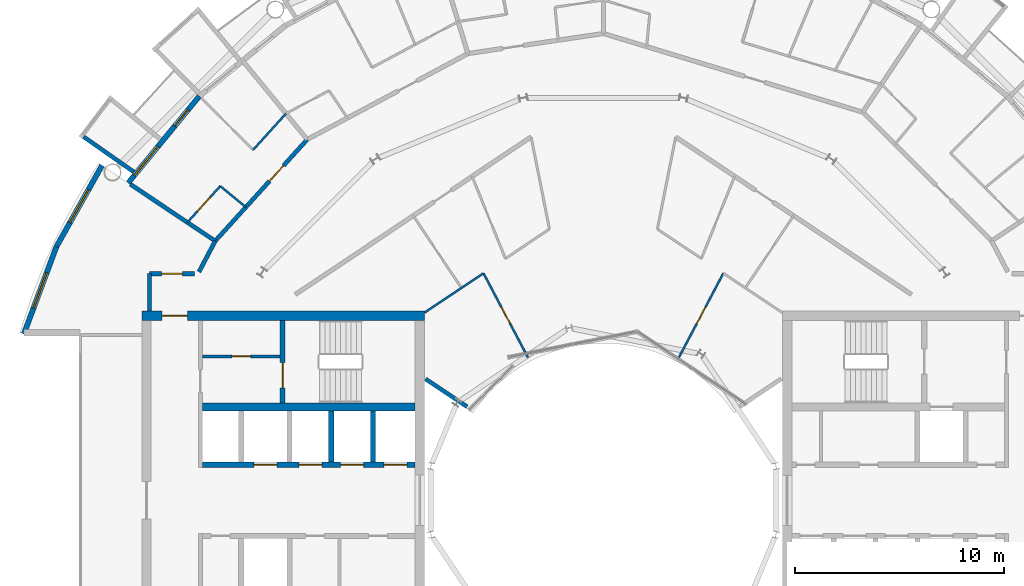
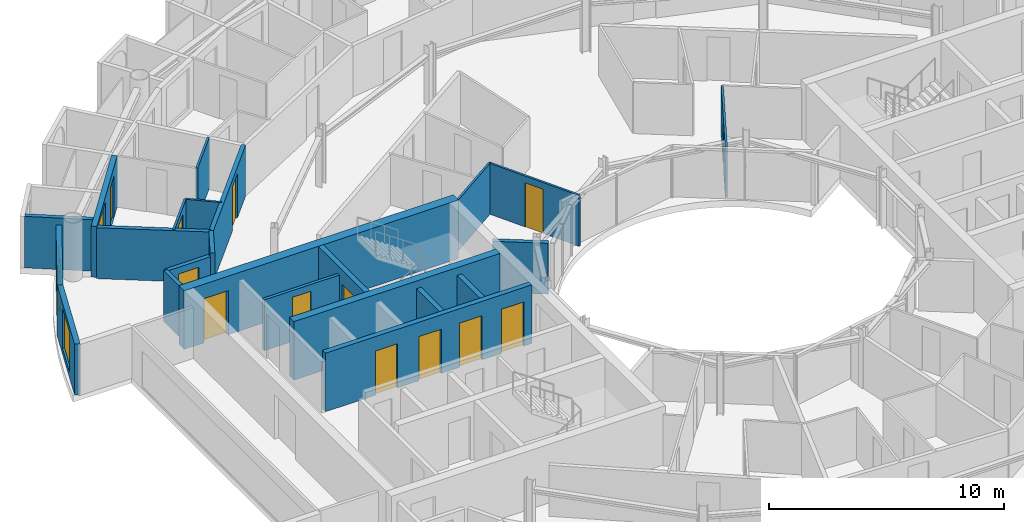
# One storey, part 20 of 28: 23 walls, 13 doors, 3 windows, 16 openings.
"""IFC4 building model written with IfcOpenShell, lengths in metres."""

from ifc_helpers import new_model, si_unit, direction, frame, frame_2d, origin, place, context, subcontext, project, spatial, rectangle, extrude, material, layer, layer_set, type_object, element, fill, save


model = new_model("IFC4")

# Units and contexts
model_context = context("Model", 3, precision=1e-05, world=origin(), true_north=direction((0.0, 1.0)))
body_context = subcontext(model_context, "Body", "Model", "MODEL_VIEW")
ifc_project = project(units=[si_unit("LENGTHUNIT", "METRE"), si_unit("AREAUNIT", "SQUARE_METRE"), si_unit("VOLUMEUNIT", "CUBIC_METRE"), si_unit("PLANEANGLEUNIT", "RADIAN"), si_unit("MASSUNIT", "GRAM", prefix="KILO")], contexts=[model_context])

# Site, building, storey
site_placement = place(None, origin())
site = spatial("IfcSite", under=ifc_project, at=site_placement, CompositionType="ELEMENT")
building_placement = place(site_placement, origin())
building = spatial("IfcBuilding", under=site, at=building_placement, Name="Maasbend Ring Residences", CompositionType="ELEMENT")
storey_placement = place(building_placement, frame((0.0, 0.0, 218.800048828125)))
storey = spatial("IfcBuildingStorey", under=building, at=storey_placement, Name="L63", CompositionType="ELEMENT", Elevation=218.800048828125)

# Wall, openings, doors
ifc_material_1 = material(Name="Concrete C50/60", Category="concrete")
ifc_layer_1 = layer(ifc_material_1, 0.25)
ifc_layer_set_1 = layer_set([ifc_layer_1], Name="Concrete C50/60")
wall_type_1 = type_object("IfcWallType", Name="CORE WALL 250 C50/60", PredefinedType="SHEAR", material=ifc_layer_set_1)
wall_1_placement = place(storey_placement, frame((-9.0, 1.699951171875, 0.0), z_axis=(0.0, 0.0, 1.0), x_axis=(-1.0, 0.0, 0.0)))
wall_1 = element("IfcWall", 1, at=wall_1_placement, inside=storey, type_object=wall_type_1, Name="L63 core W wall SPS", PredefinedType="SHEAR", context=body_context, shape_type="SweptSolid", body=[
    extrude(rectangle(XDim=10.14990234375, YDim=0.25, at=frame_2d((5.074951171875, 0.0))), origin(), (0.0, 0.0, 1.0), 3.050048828125),
])
opening_1_placement = place(wall_1_placement, frame((0.387451171875, 0.0, 0.0)))
opening_1 = element("IfcOpeningElement", 2, at=opening_1_placement, cuts=wall_1, Name="Opening LD-W6302", PredefinedType="OPENING", context=body_context, shape_type="SweptSolid", body=[
    extrude(rectangle(XDim=1.10009765625, YDim=2.300048828125, at=frame_2d((0.550048828125, 1.14990234375))), frame((0.0, 0.135009765625, 0.0), z_axis=(0.0, -1.0, 0.0), x_axis=(1.0, 0.0, 0.0)), (0.0, 0.0, 1.0), 0.27001953125),
])
opening_2_placement = place(wall_1_placement, frame((2.449951171875, 0.0, 0.0)))
opening_2 = element("IfcOpeningElement", 3, at=opening_2_placement, cuts=wall_1, Name="Opening LD-W6303", PredefinedType="OPENING", context=body_context, shape_type="SweptSolid", body=[
    extrude(rectangle(XDim=1.10009765625, YDim=2.300048828125, at=frame_2d((0.550048828125, 1.14990234375))), frame((0.0, 0.135009765625, 0.0), z_axis=(0.0, -1.0, 0.0), x_axis=(1.0, 0.0, 0.0)), (0.0, 0.0, 1.0), 0.27001953125),
])
opening_3_placement = place(wall_1_placement, frame((4.449951171875, 0.0, 0.0)))
opening_3 = element("IfcOpeningElement", 4, at=opening_3_placement, cuts=wall_1, Name="Opening LD-W6304", PredefinedType="OPENING", context=body_context, shape_type="SweptSolid", body=[
    extrude(rectangle(XDim=1.10009765625, YDim=2.300048828125, at=frame_2d((0.550048828125, 1.14990234375))), frame((0.0, 0.135009765625, 0.0), z_axis=(0.0, -1.0, 0.0), x_axis=(1.0, 0.0, 0.0)), (0.0, 0.0, 1.0), 0.27001953125),
])
opening_4_placement = place(wall_1_placement, frame((6.60009765625, 0.0, 0.0)))
opening_4 = element("IfcOpeningElement", 5, at=opening_4_placement, cuts=wall_1, Name="Opening LD-W6305", PredefinedType="OPENING", context=body_context, shape_type="SweptSolid", body=[
    extrude(rectangle(XDim=1.10009765625, YDim=2.300048828125, at=frame_2d((0.550048828125, 1.14990234375))), frame((0.0, 0.135009765625, 0.0), z_axis=(0.0, -1.0, 0.0), x_axis=(1.0, 0.0, 0.0)), (0.0, 0.0, 1.0), 0.27001953125),
])
ifc_material_2 = material(Name="Stainless steel 316", Category="steel")
door_type_1 = type_object("IfcDoorType", Name="LANDING DOOR 1100 X 2300 FD60", OperationType="DOUBLE_DOOR_SLIDING", PredefinedType="DOOR", material=ifc_material_2)
door_1_placement = place(opening_1_placement, origin())
door_1 = element("IfcDoor", 6, at=door_1_placement, inside=storey, type_object=door_type_1, Name="Landing door HR-W1 L63", OperationType="DOUBLE_DOOR_SLIDING", OverallHeight=2.300048828125, OverallWidth=1.10009765625, PredefinedType="DOOR", context=body_context, shape_type="SweptSolid", body=[
    extrude(rectangle(XDim=1.10009765625, YDim=2.300048828125, at=frame_2d((0.550048828125, 1.14990234375))), frame((0.0, 0.02490234375, 0.0), z_axis=(0.0, -1.0, 0.0), x_axis=(1.0, 0.0, 0.0)), (0.0, 0.0, 1.0), 0.050048828125),
])
fill(opening_1, door_1)
door_2_placement = place(opening_2_placement, origin())
door_2 = element("IfcDoor", 7, at=door_2_placement, inside=storey, type_object=door_type_1, Name="Landing door HR-W2 L63", OperationType="DOUBLE_DOOR_SLIDING", OverallHeight=2.300048828125, OverallWidth=1.10009765625, PredefinedType="DOOR", context=body_context, shape_type="SweptSolid", body=[
    extrude(rectangle(XDim=1.10009765625, YDim=2.300048828125, at=frame_2d((0.550048828125, 1.14990234375))), frame((0.0, 0.02490234375, 0.0), z_axis=(0.0, -1.0, 0.0), x_axis=(1.0, 0.0, 0.0)), (0.0, 0.0, 1.0), 0.050048828125),
])
fill(opening_2, door_2)
door_3_placement = place(opening_3_placement, origin())
door_3 = element("IfcDoor", 8, at=door_3_placement, inside=storey, type_object=door_type_1, Name="Landing door HR-W3 L63", OperationType="DOUBLE_DOOR_SLIDING", OverallHeight=2.300048828125, OverallWidth=1.10009765625, PredefinedType="DOOR", context=body_context, shape_type="SweptSolid", body=[
    extrude(rectangle(XDim=1.10009765625, YDim=2.300048828125, at=frame_2d((0.550048828125, 1.14990234375))), frame((0.0, 0.02490234375, 0.0), z_axis=(0.0, -1.0, 0.0), x_axis=(1.0, 0.0, 0.0)), (0.0, 0.0, 1.0), 0.050048828125),
])
fill(opening_3, door_3)
door_4_placement = place(opening_4_placement, origin())
door_4 = element("IfcDoor", 9, at=door_4_placement, inside=storey, type_object=door_type_1, Name="Landing door SV-W L63", OperationType="DOUBLE_DOOR_SLIDING", OverallHeight=2.300048828125, OverallWidth=1.10009765625, PredefinedType="DOOR", context=body_context, shape_type="SweptSolid", body=[
    extrude(rectangle(XDim=1.10009765625, YDim=2.300048828125, at=frame_2d((0.550048828125, 1.14990234375))), frame((0.0, 0.02490234375, 0.0), z_axis=(0.0, -1.0, 0.0), x_axis=(1.0, 0.0, 0.0)), (0.0, 0.0, 1.0), 0.050048828125),
])
fill(opening_4, door_4)

# Wall, opening, door
wall_2_placement = place(storey_placement, frame((-15.324951171875, 8.60009765625, 0.0), z_axis=(0.0, 0.0, 1.0), x_axis=(0.0, -1.0, 0.0)))
wall_2 = element("IfcWall", 10, at=wall_2_placement, inside=storey, type_object=wall_type_1, Name="L63 core W wall STES", PredefinedType="SHEAR", context=body_context, shape_type="SweptSolid", body=[
    extrude(rectangle(XDim=3.9501953125, YDim=0.25, at=frame_2d((1.97509765625, 0.0))), origin(), (0.0, 0.0, 1.0), 3.050048828125),
])
opening_5_placement = place(wall_2_placement, frame((2.02490234375, 0.0, 0.0)))
opening_5 = element("IfcOpeningElement", 11, at=opening_5_placement, cuts=wall_2, Name="Opening D-W6311", PredefinedType="OPENING", context=body_context, shape_type="SweptSolid", body=[
    extrude(rectangle(XDim=1.199951171875, YDim=2.300048828125, at=frame_2d((0.60009765625, 1.14990234375))), frame((0.0, 0.135009765625, 0.0), z_axis=(0.0, -1.0, 0.0), x_axis=(1.0, 0.0, 0.0)), (0.0, 0.0, 1.0), 0.27001953125),
])
ifc_material_3 = material(Name="Steel, powder coated", Category="steel")
door_type_2 = type_object("IfcDoorType", Name="STAIR DOOR 1200 X 2300 FD60", OperationType="NOTDEFINED", PredefinedType="DOOR", material=ifc_material_3)
door_5_placement = place(opening_5_placement, origin())
door_5 = element("IfcDoor", 12, at=door_5_placement, inside=storey, type_object=door_type_2, Name="Stair door ST-W L63", OperationType="SINGLE_SWING_LEFT", OverallHeight=2.300048828125, OverallWidth=1.199951171875, PredefinedType="DOOR", context=body_context, shape_type="SweptSolid", body=[
    extrude(rectangle(XDim=1.199951171875, YDim=2.300048828125, at=frame_2d((0.60009765625, 1.14990234375))), frame((0.0, 0.02490234375, 0.0), z_axis=(0.0, -1.0, 0.0), x_axis=(1.0, 0.0, 0.0)), (0.0, 0.0, 1.0), 0.050048828125),
])
fill(opening_5, door_5)

# Wall
ifc_material_4 = material(Name="Concrete C50/60", Category="concrete")
ifc_layer_2 = layer(ifc_material_4, 0.375)
ifc_layer_set_2 = layer_set([ifc_layer_2], Name="Concrete C50/60")
wall_type_2 = type_object("IfcWallType", Name="CORE WALL 375 C50/60", PredefinedType="SHEAR", material=ifc_layer_set_2)
wall_3_placement = place(storey_placement, frame((-9.0, 4.46240234375, 0.0), z_axis=(0.0, 0.0, 1.0), x_axis=(-1.0, 0.0, 0.0)))
element("IfcWall", 13, at=wall_3_placement, inside=storey, type_object=wall_type_2, Name="L63 core W wall BS", PredefinedType="SHEAR", context=body_context, shape_type="SweptSolid", body=[
    extrude(rectangle(XDim=10.14990234375, YDim=0.375, at=frame_2d((5.074951171875, 0.0))), origin(), (0.0, 0.0, 1.0), 3.050048828125),
])

# Wall, opening, door
ifc_material_5 = material(Name="Concrete C50/60", Category="concrete")
ifc_layer_3 = layer(ifc_material_5, 0.449951171875)
ifc_layer_set_3 = layer_set([ifc_layer_3], Name="Concrete C50/60")
wall_type_3 = type_object("IfcWallType", Name="CORE WALL 450 C50/60", PredefinedType="SHEAR", material=ifc_layer_set_3)
wall_4_placement = place(storey_placement, frame((-8.550048828125, 8.824951171875, 0.0), z_axis=(0.0, 0.0, 1.0), x_axis=(-1.0, 0.0, 0.0)))
wall_4 = element("IfcWall", 14, at=wall_4_placement, inside=storey, type_object=wall_type_3, Name="L63 core W wall PS", PredefinedType="SHEAR", context=body_context, shape_type="SweptSolid", body=[
    extrude(rectangle(XDim=13.5, YDim=0.449951171875, at=frame_2d((6.75, 0.0))), origin(), (0.0, 0.0, 1.0), 3.050048828125),
])
opening_6_placement = place(wall_4_placement, frame((11.324951171875, 0.0, 0.0)))
opening_6 = element("IfcOpeningElement", 15, at=opening_6_placement, cuts=wall_4, Name="Opening D-W6315", PredefinedType="OPENING", context=body_context, shape_type="SweptSolid", body=[
    extrude(rectangle(XDim=1.199951171875, YDim=2.300048828125, at=frame_2d((0.60009765625, 1.14990234375))), frame((0.0, 0.23486328125, 0.0), z_axis=(0.0, -1.0, 0.0), x_axis=(1.0, 0.0, 0.0)), (0.0, 0.0, 1.0), 0.469970703125),
])
ifc_material_6 = material(Name="Steel, powder coated", Category="steel")
door_type_3 = type_object("IfcDoorType", Name="CORRIDOR DOOR 1200 X 2300 FD30S", OperationType="NOTDEFINED", PredefinedType="DOOR", material=ifc_material_6)
door_6_placement = place(opening_6_placement, origin())
door_6 = element("IfcDoor", 16, at=door_6_placement, inside=storey, type_object=door_type_3, Name="Corridor door L63", OperationType="SINGLE_SWING_LEFT", OverallHeight=2.300048828125, OverallWidth=1.199951171875, PredefinedType="DOOR", context=body_context, shape_type="SweptSolid", body=[
    extrude(rectangle(XDim=1.199951171875, YDim=2.300048828125, at=frame_2d((0.60009765625, 1.14990234375))), frame((0.0, 0.02490234375, 0.0), z_axis=(0.0, -1.0, 0.0), x_axis=(1.0, 0.0, 0.0)), (0.0, 0.0, 1.0), 0.050048828125),
])
fill(opening_6, door_6)

ifc_material_7 = material(Name="Concrete C30/37", Category="concrete")
ifc_layer_4 = layer(ifc_material_7, 0.199951171875)
ifc_layer_set_4 = layer_set([ifc_layer_4], Name="Concrete C30/37")
wall_type_4 = type_object("IfcWallType", Name="CORRIDOR WALL 200 CONCRETE", PredefinedType="PARTITIONING", material=ifc_layer_set_4)
wall_5_placement = place(storey_placement, frame((-21.675048828125, 10.824951171875, 0.0), z_axis=(0.0, 0.0, 1.0), x_axis=(1.0, 0.0, 0.0)))
wall_5 = element("IfcWall", 17, at=wall_5_placement, inside=storey, type_object=wall_type_4, Name="U-L63-w091", PredefinedType="PARTITIONING", context=body_context, shape_type="SweptSolid", body=[
    extrude(rectangle(XDim=2.152099609375, YDim=0.199951171875, at=frame_2d((1.076171875, 0.0))), origin(), (0.0, 0.0, 1.0), 2.64990234375),
])
opening_7_placement = place(wall_5_placement, frame((0.575927734375, 0.0, 0.0)))
opening_7 = element("IfcOpeningElement", 18, at=opening_7_placement, cuts=wall_5, Name="Opening D-6359", PredefinedType="OPENING", context=body_context, shape_type="SweptSolid", body=[
    extrude(rectangle(XDim=1.0, YDim=2.300048828125, at=frame_2d((0.5, 1.14990234375))), frame((0.0, 0.10986328125, 0.0), z_axis=(0.0, -1.0, 0.0), x_axis=(1.0, 0.0, 0.0)), (0.0, 0.0, 1.0), 0.219970703125),
])
ifc_material_8 = material(Name="Timber, painted", Category="wood")
door_type_4 = type_object("IfcDoorType", Name="ROOM DOOR 1000 X 2300", OperationType="NOTDEFINED", PredefinedType="DOOR", material=ifc_material_8)
door_7_placement = place(opening_7_placement, origin())
door_7 = element("IfcDoor", 19, at=door_7_placement, inside=storey, type_object=door_type_4, Name="D-6359", OperationType="SINGLE_SWING_LEFT", OverallHeight=2.300048828125, OverallWidth=1.0, PredefinedType="DOOR", context=body_context, shape_type="SweptSolid", body=[
    extrude(rectangle(XDim=1.0, YDim=2.300048828125, at=frame_2d((0.5, 1.14990234375))), frame((0.0, 0.02490234375, 0.0), z_axis=(0.0, -1.0, 0.0), x_axis=(1.0, 0.0, 0.0)), (0.0, 0.0, 1.0), 0.050048828125),
])
fill(opening_7, door_7)

# Wall
wall_6_placement = place(storey_placement, frame((-21.675048828125, 9.050048828125, 0.0), z_axis=(0.0, 0.0, 1.0), x_axis=(0.0, 1.0, 0.0)))
element("IfcWall", 20, at=wall_6_placement, inside=storey, type_object=wall_type_4, Name="U-L63-w101", PredefinedType="PARTITIONING", context=body_context, shape_type="SweptSolid", body=[
    extrude(rectangle(XDim=1.77490234375, YDim=0.199951171875, at=frame_2d((0.887451171875, 0.0))), origin(), (0.0, 0.0, 1.0), 2.64990234375),
])

# Wall, opening, door
wall_7_placement = place(storey_placement, frame((-18.5419921875, 12.388916015625, 0.0), z_axis=(0.0, 0.0, 1.0), x_axis=(0.671561669125, 0.740948665268, 0.0)))
wall_7 = element("IfcWall", 21, at=wall_7_placement, inside=storey, type_object=wall_type_4, Name="U-L63-w104", PredefinedType="PARTITIONING", context=body_context, shape_type="SweptSolid", body=[
    extrude(rectangle(XDim=6.54443359375, YDim=0.199951171875, at=frame_2d((3.272216796875, 0.0))), origin(), (0.0, 0.0, 1.0), 2.64990234375),
])
opening_8_placement = place(wall_7_placement, frame((3.862060546875, 0.0, 0.0)))
opening_8 = element("IfcOpeningElement", 22, at=opening_8_placement, cuts=wall_7, Name="Opening D-6317", PredefinedType="OPENING", context=body_context, shape_type="SweptSolid", body=[
    extrude(rectangle(XDim=1.0, YDim=2.300048828125, at=frame_2d((0.5, 1.14990234375))), frame((0.0, 0.10986328125, 0.0), z_axis=(0.0, -1.0, 0.0), x_axis=(1.0, 0.0, 0.0)), (0.0, 0.0, 1.0), 0.219970703125),
])
ifc_material_9 = material(Name="Timber, fire-rated, painted", Category="wood")
door_type_5 = type_object("IfcDoorType", Name="FLAT ENTRANCE DOOR 1000 X 2300 FIRE-RATED", OperationType="NOTDEFINED", PredefinedType="DOOR", material=ifc_material_9)
door_8_placement = place(opening_8_placement, origin())
door_8 = element("IfcDoor", 23, at=door_8_placement, inside=storey, type_object=door_type_5, Name="D-6317", OperationType="SINGLE_SWING_RIGHT", OverallHeight=2.300048828125, OverallWidth=1.0, PredefinedType="DOOR", context=body_context, shape_type="SweptSolid", body=[
    extrude(rectangle(XDim=1.0, YDim=2.300048828125, at=frame_2d((0.5, 1.14990234375))), frame((0.0, 0.02490234375, 0.0), z_axis=(0.0, -1.0, 0.0), x_axis=(1.0, 0.0, 0.0)), (0.0, 0.0, 1.0), 0.050048828125),
])
fill(opening_8, door_8)

# Walls
wall_8_placement = place(storey_placement, frame((-19.31689453125, 10.9150390625, 0.0), z_axis=(0.0, 0.0, 1.0), x_axis=(0.465359652486, 0.885121683068, 0.0)))
element("IfcWall", 24, at=wall_8_placement, inside=storey, type_object=wall_type_4, Name="U-L63-w106", PredefinedType="PARTITIONING", context=body_context, shape_type="SweptSolid", body=[
    extrude(rectangle(XDim=1.665283203125, YDim=0.199951171875, at=frame_2d((0.83251953125, 0.0))), origin(), (0.0, 0.0, 1.0), 2.64990234375),
])
ifc_material_10 = material(Name="Pale anodised aluminium panel", Category="aluminium")
ifc_layer_5 = layer(ifc_material_10, 0.199951171875)
ifc_layer_set_5 = layer_set([ifc_layer_5], Name="EW-BOX")
wall_type_5 = type_object("IfcWallType", Name="EW-BOX", PredefinedType="SOLIDWALL", material=ifc_layer_set_5)
wall_9_placement = place(storey_placement, frame((-22.43310546875, 15.68798828125, -0.030029296875), z_axis=(0.0, 0.0, 1.0), x_axis=(-0.819373043115, 0.573260687834, 0.0)))
element("IfcWall", 25, at=wall_9_placement, inside=storey, type_object=wall_type_5, Name="Box side wall N20 right", PredefinedType="SOLIDWALL", context=body_context, shape_type="SweptSolid", body=[
    extrude(rectangle(XDim=2.92529296875, YDim=0.199951171875, at=frame_2d((1.462646484375, 0.0))), origin(), (0.0, 0.0, 1.0), 2.679931640625),
])

# Wall, openings, door, window
ifc_material_11 = material(Name="Aluminium clad insulated panel", Category="aluminium")
ifc_layer_6 = layer(ifc_material_11, 0.25)
ifc_layer_set_6 = layer_set([ifc_layer_6], Name="EW-GL")
wall_type_6 = type_object("IfcWallType", Name="EW-GL", PredefinedType="SOLIDWALL", material=ifc_layer_set_6)
wall_10_placement = place(storey_placement, frame((-19.303955078125, 19.303955078125, 0.0), z_axis=(0.0, 0.0, 1.0), x_axis=(-0.634382322723, -0.773019449054, 0.0)))
wall_10 = element("IfcWall", 26, at=wall_10_placement, inside=storey, type_object=wall_type_6, Name="External wall N10", PredefinedType="SOLIDWALL", context=body_context, shape_type="SweptSolid", body=[
    extrude(rectangle(XDim=5.351806640625, YDim=0.25, at=frame_2d((2.67578125, 0.0))), origin(), (0.0, 0.0, 1.0), 2.64990234375),
])
opening_9_placement = place(wall_10_placement, frame((0.841064453125, 0.0, 0.0)))
opening_9 = element("IfcOpeningElement", 27, at=opening_9_placement, cuts=wall_10, Name="Opening D-LG", PredefinedType="OPENING", context=body_context, shape_type="SweptSolid", body=[
    extrude(rectangle(XDim=1.0, YDim=2.199951171875, at=frame_2d((0.5, 1.10009765625))), frame((0.0, 0.135009765625, 0.0), z_axis=(0.0, -1.0, 0.0), x_axis=(1.0, 0.0, 0.0)), (0.0, 0.0, 1.0), 0.27001953125),
])
opening_10_placement = place(wall_10_placement, frame((3.110595703125, 0.0, 0.300048828125)))
opening_10 = element("IfcOpeningElement", 28, at=opening_10_placement, cuts=wall_10, Name="Opening W-BX", PredefinedType="OPENING", context=body_context, shape_type="SweptSolid", body=[
    extrude(rectangle(XDim=1.800048828125, YDim=2.10009765625, at=frame_2d((0.89990234375, 1.050048828125))), frame((0.0, 0.135009765625, 0.0), z_axis=(0.0, -1.0, 0.0), x_axis=(1.0, 0.0, 0.0)), (0.0, 0.0, 1.0), 0.27001953125),
])
ifc_material_12 = material(Name="Aluminium and clear glass", Category="aluminium")
door_type_6 = type_object("IfcDoorType", Name="D-LG", OperationType="SINGLE_SWING_LEFT", PredefinedType="DOOR", material=ifc_material_12)
door_9_placement = place(opening_9_placement, origin())
door_9 = element("IfcDoor", 29, at=door_9_placement, inside=storey, type_object=door_type_6, Name="Loggia door N19", OperationType="SINGLE_SWING_LEFT", OverallHeight=2.199951171875, OverallWidth=1.0, PredefinedType="DOOR", context=body_context, shape_type="SweptSolid", body=[
    extrude(rectangle(XDim=1.0, YDim=2.199951171875, at=frame_2d((0.5, 1.10009765625))), frame((0.0, 0.02490234375, 0.0), z_axis=(0.0, -1.0, 0.0), x_axis=(1.0, 0.0, 0.0)), (0.0, 0.0, 1.0), 0.050048828125),
])
fill(opening_9, door_9)
ifc_material_13 = material(Name="Aluminium and clear glass", Category="aluminium")
window_type = type_object("IfcWindowType", Name="W-BX", PartitioningType="DOUBLE_PANEL_VERTICAL", PredefinedType="WINDOW", material=ifc_material_13)
window_1_placement = place(opening_10_placement, origin())
window_1 = element("IfcWindow", 30, at=window_1_placement, inside=storey, type_object=window_type, Name="Window N20 room to box", OverallHeight=2.10009765625, OverallWidth=1.800048828125, PartitioningType="SINGLE_PANEL", PredefinedType="WINDOW", context=body_context, shape_type="SweptSolid", body=[
    extrude(rectangle(XDim=1.800048828125, YDim=2.10009765625, at=frame_2d((0.89990234375, 1.050048828125))), frame((0.0, 0.030029296875, 0.0), z_axis=(0.0, -1.0, 0.0), x_axis=(1.0, 0.0, 0.0)), (0.0, 0.0, 1.0), 0.06005859375),
])
fill(opening_10, window_1)

# Wall, opening, window
ifc_material_14 = material(Name="Aluminium clad insulated panel", Category="aluminium")
ifc_layer_7 = layer(ifc_material_14, 0.25)
ifc_layer_set_7 = layer_set([ifc_layer_7], Name="EW-HORN")
wall_type_7 = type_object("IfcWallType", Name="EW-HORN", PredefinedType="SOLIDWALL", material=ifc_layer_set_7)
wall_11_placement = place(storey_placement, frame((-23.946044921875, 16.0, 0.0), z_axis=(0.0, 0.0, 1.0), x_axis=(-0.489696356642, -0.871893042919, 0.0)))
wall_11 = element("IfcWall", 31, at=wall_11_placement, inside=storey, type_object=wall_type_7, Name="Horn wall 4.1", PredefinedType="SOLIDWALL", context=body_context, shape_type="SweptSolid", body=[
    extrude(rectangle(XDim=4.45361328125, YDim=0.25, at=frame_2d((2.226806640625, 0.0))), origin(), (0.0, 0.0, 1.0), 2.64990234375),
])
opening_11_placement = place(wall_11_placement, frame((1.32666015625, 0.0, 0.300048828125)))
opening_11 = element("IfcOpeningElement", 32, at=opening_11_placement, cuts=wall_11, Name="Opening W-BX", PredefinedType="OPENING", context=body_context, shape_type="SweptSolid", body=[
    extrude(rectangle(XDim=1.800048828125, YDim=2.10009765625, at=frame_2d((0.89990234375, 1.050048828125))), frame((0.0, 0.135009765625, 0.0), z_axis=(0.0, -1.0, 0.0), x_axis=(1.0, 0.0, 0.0)), (0.0, 0.0, 1.0), 0.27001953125),
])
window_2_placement = place(opening_11_placement, origin())
window_2 = element("IfcWindow", 33, at=window_2_placement, inside=storey, type_object=window_type, Name="Horn window 4.1", OverallHeight=2.10009765625, OverallWidth=1.800048828125, PartitioningType="SINGLE_PANEL", PredefinedType="WINDOW", context=body_context, shape_type="SweptSolid", body=[
    extrude(rectangle(XDim=1.800048828125, YDim=2.10009765625, at=frame_2d((0.89990234375, 1.050048828125))), frame((0.0, 0.030029296875, 0.0), z_axis=(0.0, -1.0, 0.0), x_axis=(1.0, 0.0, 0.0)), (0.0, 0.0, 1.0), 0.06005859375),
])
fill(opening_11, window_2)

wall_12_placement = place(storey_placement, frame((-26.126953125, 12.116943359375, 0.0), z_axis=(0.0, 0.0, 1.0), x_axis=(-0.349247811493, -0.937030397675, 0.0)))
wall_12 = element("IfcWall", 34, at=wall_12_placement, inside=storey, type_object=wall_type_7, Name="Horn wall 4.2", PredefinedType="SOLIDWALL", context=body_context, shape_type="SweptSolid", body=[
    extrude(rectangle(XDim=4.4521484375, YDim=0.25, at=frame_2d((2.22607421875, 0.0))), origin(), (0.0, 0.0, 1.0), 2.64990234375),
])
opening_12_placement = place(wall_12_placement, frame((1.32666015625, 0.0, 0.300048828125)))
opening_12 = element("IfcOpeningElement", 35, at=opening_12_placement, cuts=wall_12, Name="Opening W-BX", PredefinedType="OPENING", context=body_context, shape_type="SweptSolid", body=[
    extrude(rectangle(XDim=1.800048828125, YDim=2.10009765625, at=frame_2d((0.89990234375, 1.050048828125))), frame((0.0, 0.135009765625, 0.0), z_axis=(0.0, -1.0, 0.0), x_axis=(1.0, 0.0, 0.0)), (0.0, 0.0, 1.0), 0.27001953125),
])
window_3_placement = place(opening_12_placement, origin())
window_3 = element("IfcWindow", 36, at=window_3_placement, inside=storey, type_object=window_type, Name="Horn window 4.2", OverallHeight=2.10009765625, OverallWidth=1.800048828125, PartitioningType="SINGLE_PANEL", PredefinedType="WINDOW", context=body_context, shape_type="SweptSolid", body=[
    extrude(rectangle(XDim=1.800048828125, YDim=2.10009765625, at=frame_2d((0.89990234375, 1.050048828125))), frame((0.0, 0.030029296875, 0.0), z_axis=(0.0, -1.0, 0.0), x_axis=(1.0, 0.0, 0.0)), (0.0, 0.0, 1.0), 0.06005859375),
])
fill(opening_12, window_3)

# Wall, opening, door
ifc_material_15 = material(Name="Gypsum board on steel studs", Category="steel")
ifc_layer_8 = layer(ifc_material_15, 0.10009765625)
ifc_layer_set_8 = layer_set([ifc_layer_8], Name="PARTITION 100 GYPSUM")
wall_type_8 = type_object("IfcWallType", Name="PARTITION 100 GYPSUM", PredefinedType="PARTITIONING", material=ifc_layer_set_8)
wall_13_placement = place(storey_placement, frame((-5.72900390625, 10.84912109375, 0.0), z_axis=(0.0, 0.0, 1.0), x_axis=(0.466962677975, -0.884277025246, 0.0)))
wall_13 = element("IfcWall", 37, at=wall_13_placement, inside=storey, type_object=wall_type_8, Name="U-L63-w053", PredefinedType="PARTITIONING", context=body_context, shape_type="SweptSolid", body=[
    extrude(rectangle(XDim=4.548583984375, YDim=0.10009765625, at=frame_2d((2.2744140625, 0.0))), origin(), (0.0, 0.0, 1.0), 2.64990234375),
])
opening_13_placement = place(wall_13_placement, frame((1.823974609375, 0.0, 0.0)))
opening_13 = element("IfcOpeningElement", 38, at=opening_13_placement, cuts=wall_13, Name="Opening D-6327", PredefinedType="OPENING", context=body_context, shape_type="SweptSolid", body=[
    extrude(rectangle(XDim=0.89990234375, YDim=2.300048828125, at=frame_2d((0.449951171875, 1.14990234375))), frame((0.0, 0.06005859375, 0.0), z_axis=(0.0, -1.0, 0.0), x_axis=(1.0, 0.0, 0.0)), (0.0, 0.0, 1.0), 0.1201171875),
])
ifc_material_16 = material(Name="Timber, painted", Category="wood")
door_type_7 = type_object("IfcDoorType", Name="INTERNAL DOOR 900 X 2300", OperationType="NOTDEFINED", PredefinedType="DOOR", material=ifc_material_16)
door_10_placement = place(opening_13_placement, origin())
door_10 = element("IfcDoor", 39, at=door_10_placement, inside=storey, type_object=door_type_7, Name="D-6327", OperationType="SINGLE_SWING_RIGHT", OverallHeight=2.300048828125, OverallWidth=0.89990234375, PredefinedType="DOOR", context=body_context, shape_type="SweptSolid", body=[
    extrude(rectangle(XDim=0.89990234375, YDim=2.300048828125, at=frame_2d((0.449951171875, 1.14990234375))), frame((0.0, 0.02490234375, 0.0), z_axis=(0.0, -1.0, 0.0), x_axis=(1.0, 0.0, 0.0)), (0.0, 0.0, 1.0), 0.050048828125),
])
fill(opening_13, door_10)

wall_14_placement = place(storey_placement, frame((3.60498046875, 6.826904296875, 0.0), z_axis=(0.0, 0.0, 1.0), x_axis=(0.466962677975, 0.884277025246, 0.0)))
wall_14 = element("IfcWall", 40, at=wall_14_placement, inside=storey, type_object=wall_type_8, Name="U-L63-w066", PredefinedType="PARTITIONING", context=body_context, shape_type="SweptSolid", body=[
    extrude(rectangle(XDim=4.548583984375, YDim=0.10009765625, at=frame_2d((2.2744140625, 0.0))), origin(), (0.0, 0.0, 1.0), 2.64990234375),
])
opening_14_placement = place(wall_14_placement, frame((1.823974609375, 0.0, 0.0)))
opening_14 = element("IfcOpeningElement", 41, at=opening_14_placement, cuts=wall_14, Name="Opening D-6323", PredefinedType="OPENING", context=body_context, shape_type="SweptSolid", body=[
    extrude(rectangle(XDim=0.89990234375, YDim=2.300048828125, at=frame_2d((0.449951171875, 1.14990234375))), frame((0.0, 0.06005859375, 0.0), z_axis=(0.0, -1.0, 0.0), x_axis=(1.0, 0.0, 0.0)), (0.0, 0.0, 1.0), 0.1201171875),
])
door_11_placement = place(opening_14_placement, origin())
door_11 = element("IfcDoor", 42, at=door_11_placement, inside=storey, type_object=door_type_7, Name="D-6323", OperationType="SINGLE_SWING_LEFT", OverallHeight=2.300048828125, OverallWidth=0.89990234375, PredefinedType="DOOR", context=body_context, shape_type="SweptSolid", body=[
    extrude(rectangle(XDim=0.89990234375, YDim=2.300048828125, at=frame_2d((0.449951171875, 1.14990234375))), frame((0.0, 0.02490234375, 0.0), z_axis=(0.0, -1.0, 0.0), x_axis=(1.0, 0.0, 0.0)), (0.0, 0.0, 1.0), 0.050048828125),
])
fill(opening_14, door_11)

# Walls
wall_15_placement = place(storey_placement, frame((-18.302001953125, 15.010009765625, 0.0), z_axis=(0.0, 0.0, 1.0), x_axis=(0.773476341377, -0.633825172528, 0.0)))
element("IfcWall", 43, at=wall_15_placement, inside=storey, type_object=wall_type_8, Name="U-L63-w085", PredefinedType="PARTITIONING", context=body_context, shape_type="SweptSolid", body=[
    extrude(rectangle(XDim=1.583984375, YDim=0.10009765625, at=frame_2d((0.7919921875, 0.0))), origin(), (0.0, 0.0, 1.0), 2.64990234375),
])
wall_16_placement = place(storey_placement, frame((-8.550048828125, 8.962890625, 0.0), z_axis=(0.0, 0.0, 1.0), x_axis=(0.83129689803, 0.555828631257, 0.0)))
element("IfcWall", 44, at=wall_16_placement, inside=storey, type_object=wall_type_8, Name="U-L63-w093", PredefinedType="PARTITIONING", context=body_context, shape_type="SweptSolid", body=[
    extrude(rectangle(XDim=3.3935546875, YDim=0.10009765625, at=frame_2d((1.69677734375, 0.0))), origin(), (0.0, 0.0, 1.0), 2.64990234375),
])

# Wall, opening, door
wall_17_placement = place(storey_placement, frame((-19.8720703125, 13.278076171875, 0.0), z_axis=(0.0, 0.0, 1.0), x_axis=(0.671637685376, 0.740879760544, 0.0)))
wall_17 = element("IfcWall", 45, at=wall_17_placement, inside=storey, type_object=wall_type_8, Name="U-L63-w114", PredefinedType="PARTITIONING", context=body_context, shape_type="SweptSolid", body=[
    extrude(rectangle(XDim=2.337646484375, YDim=0.10009765625, at=frame_2d((1.1689453125, 0.0))), origin(), (0.0, 0.0, 1.0), 2.64990234375),
])
opening_15_placement = place(wall_17_placement, frame((0.718994140625, 0.0, 0.0)))
opening_15 = element("IfcOpeningElement", 46, at=opening_15_placement, cuts=wall_17, Name="Opening D-6318", PredefinedType="OPENING", context=body_context, shape_type="SweptSolid", body=[
    extrude(rectangle(XDim=0.89990234375, YDim=2.300048828125, at=frame_2d((0.449951171875, 1.14990234375))), frame((0.0, 0.06005859375, 0.0), z_axis=(0.0, -1.0, 0.0), x_axis=(1.0, 0.0, 0.0)), (0.0, 0.0, 1.0), 0.1201171875),
])
door_12_placement = place(opening_15_placement, origin())
door_12 = element("IfcDoor", 47, at=door_12_placement, inside=storey, type_object=door_type_7, Name="D-6318", OperationType="SINGLE_SWING_LEFT", OverallHeight=2.300048828125, OverallWidth=0.89990234375, PredefinedType="DOOR", context=body_context, shape_type="SweptSolid", body=[
    extrude(rectangle(XDim=0.89990234375, YDim=2.300048828125, at=frame_2d((0.449951171875, 1.14990234375))), frame((0.0, 0.02490234375, 0.0), z_axis=(0.0, -1.0, 0.0), x_axis=(1.0, 0.0, 0.0)), (0.0, 0.0, 1.0), 0.050048828125),
])
fill(opening_15, door_12)

# Wall
wall_18_placement = place(storey_placement, frame((-16.73193359375, 16.742919921875, 0.0), z_axis=(0.0, 0.0, 1.0), x_axis=(0.671528384412, 0.740978831634, 0.0)))
element("IfcWall", 48, at=wall_18_placement, inside=storey, type_object=wall_type_8, Name="U-L63-w115", PredefinedType="PARTITIONING", context=body_context, shape_type="SweptSolid", body=[
    extrude(rectangle(XDim=2.337646484375, YDim=0.10009765625, at=frame_2d((1.1689453125, 0.0))), origin(), (0.0, 0.0, 1.0), 2.64990234375),
])

# Wall, opening, door
ifc_material_17 = material(Name="Gypsum board on steel studs", Category="steel")
ifc_layer_9 = layer(ifc_material_17, 0.14990234375)
ifc_layer_set_9 = layer_set([ifc_layer_9], Name="PARTITION 150 EI 60")
wall_type_9 = type_object("IfcWallType", Name="PARTITION 150 EI 60", PredefinedType="PARTITIONING", material=ifc_layer_set_9)
wall_19_placement = place(storey_placement, frame((-15.449951171875, 6.875, 0.0), z_axis=(0.0, 0.0, 1.0), x_axis=(-1.0, 0.0, 0.0)))
wall_19 = element("IfcWall", 49, at=wall_19_placement, inside=storey, type_object=wall_type_9, Name="L63 core W wall RHS", PredefinedType="PARTITIONING", context=body_context, shape_type="SweptSolid", body=[
    extrude(rectangle(XDim=3.699951171875, YDim=0.14990234375, at=frame_2d((1.85009765625, 0.0))), origin(), (0.0, 0.0, 1.0), 2.64990234375),
])
opening_16_placement = place(wall_19_placement, frame((1.39990234375, 0.0, 0.0)))
opening_16 = element("IfcOpeningElement", 50, at=opening_16_placement, cuts=wall_19, Name="Opening D-W6309", PredefinedType="OPENING", context=body_context, shape_type="SweptSolid", body=[
    extrude(rectangle(XDim=0.89990234375, YDim=2.300048828125, at=frame_2d((0.449951171875, 1.14990234375))), frame((0.0, 0.0849609375, 0.0), z_axis=(0.0, -1.0, 0.0), x_axis=(1.0, 0.0, 0.0)), (0.0, 0.0, 1.0), 0.169921875),
])
ifc_material_18 = material(Name="Steel, powder coated", Category="steel")
door_type_8 = type_object("IfcDoorType", Name="RISER DOOR 900 X 2300 FD60", OperationType="NOTDEFINED", PredefinedType="DOOR", material=ifc_material_18)
door_13_placement = place(opening_16_placement, origin())
door_13 = element("IfcDoor", 51, at=door_13_placement, inside=storey, type_object=door_type_8, Name="Riser door L63", OperationType="SINGLE_SWING_LEFT", OverallHeight=2.300048828125, OverallWidth=0.89990234375, PredefinedType="DOOR", context=body_context, shape_type="SweptSolid", body=[
    extrude(rectangle(XDim=0.89990234375, YDim=2.300048828125, at=frame_2d((0.449951171875, 1.14990234375))), frame((0.0, 0.02490234375, 0.0), z_axis=(0.0, -1.0, 0.0), x_axis=(1.0, 0.0, 0.0)), (0.0, 0.0, 1.0), 0.050048828125),
])
fill(opening_16, door_13)

# Walls
ifc_material_19 = material(Name="Concrete C30/37", Category="concrete")
ifc_layer_10 = layer(ifc_material_19, 0.199951171875)
ifc_layer_set_10 = layer_set([ifc_layer_10], Name="Concrete C30/37")
wall_type_10 = type_object("IfcWallType", Name="PARTY WALL 200 CONCRETE", PredefinedType="PARTITIONING", material=ifc_layer_set_10)
wall_20_placement = place(storey_placement, frame((-22.594970703125, 15.097900390625, 0.0), z_axis=(0.0, 0.0, 1.0), x_axis=(0.831387096605, -0.55569370664, 0.0)))
element("IfcWall", 52, at=wall_20_placement, inside=storey, type_object=wall_type_10, Name="U-L63-w035", PredefinedType="PARTITIONING", context=body_context, shape_type="SweptSolid", body=[
    extrude(rectangle(XDim=4.875, YDim=0.199951171875, at=frame_2d((2.4375, 0.0))), origin(), (0.0, 0.0, 1.0), 2.64990234375),
])
wall_21_placement = place(storey_placement, frame((-6.512939453125, 4.471923828125, 0.0), z_axis=(0.0, 0.0, 1.0), x_axis=(-0.831403409976, 0.555669299026, 0.0)))
element("IfcWall", 53, at=wall_21_placement, inside=storey, type_object=wall_type_10, Name="U-L63-w089", PredefinedType="PARTITIONING", context=body_context, shape_type="SweptSolid", body=[
    extrude(rectangle(XDim=2.382568359375, YDim=0.199951171875, at=frame_2d((1.19140625, 0.0))), origin(), (0.0, 0.0, 1.0), 2.64990234375),
])
ifc_material_20 = material(Name="Concrete C30/37", Category="concrete")
ifc_layer_11 = layer(ifc_material_20, 0.25)
ifc_layer_set_11 = layer_set([ifc_layer_11], Name="Concrete C30/37")
wall_type_11 = type_object("IfcWallType", Name="SHAFT WALL 250 EI 120", PredefinedType="SOLIDWALL", material=ifc_layer_set_11)
for number, where, z_axis, x_axis, name in (
    (54, (-11.0, 1.824951171875, 0.0), (0.0, 0.0, 1.0), (0.0, 1.0, 0.0), "L63 core W wall D110S"),
    (55, (-13.0, 1.824951171875, 0.0), (0.0, 0.0, 1.0), (0.0, 1.0, 0.0), "L63 core W wall D130S"),
):
    element("IfcWall", number, at=place(storey_placement, frame(where, z_axis=z_axis, x_axis=x_axis)), inside=storey, type_object=wall_type_11, Name=name, PredefinedType="SOLIDWALL", context=body_context, shape_type="SweptSolid", body=[
        extrude(rectangle(XDim=2.449951171875, YDim=0.25, at=frame_2d((1.22509765625, 0.0))), origin(), (0.0, 0.0, 1.0), 2.64990234375),
    ])

save(model, "model.ifc")
